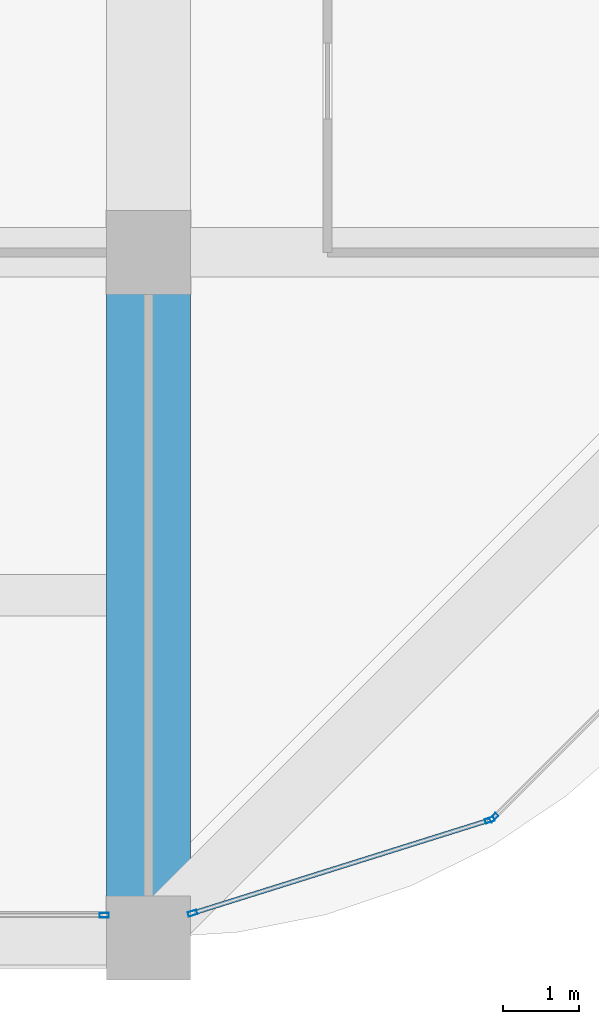
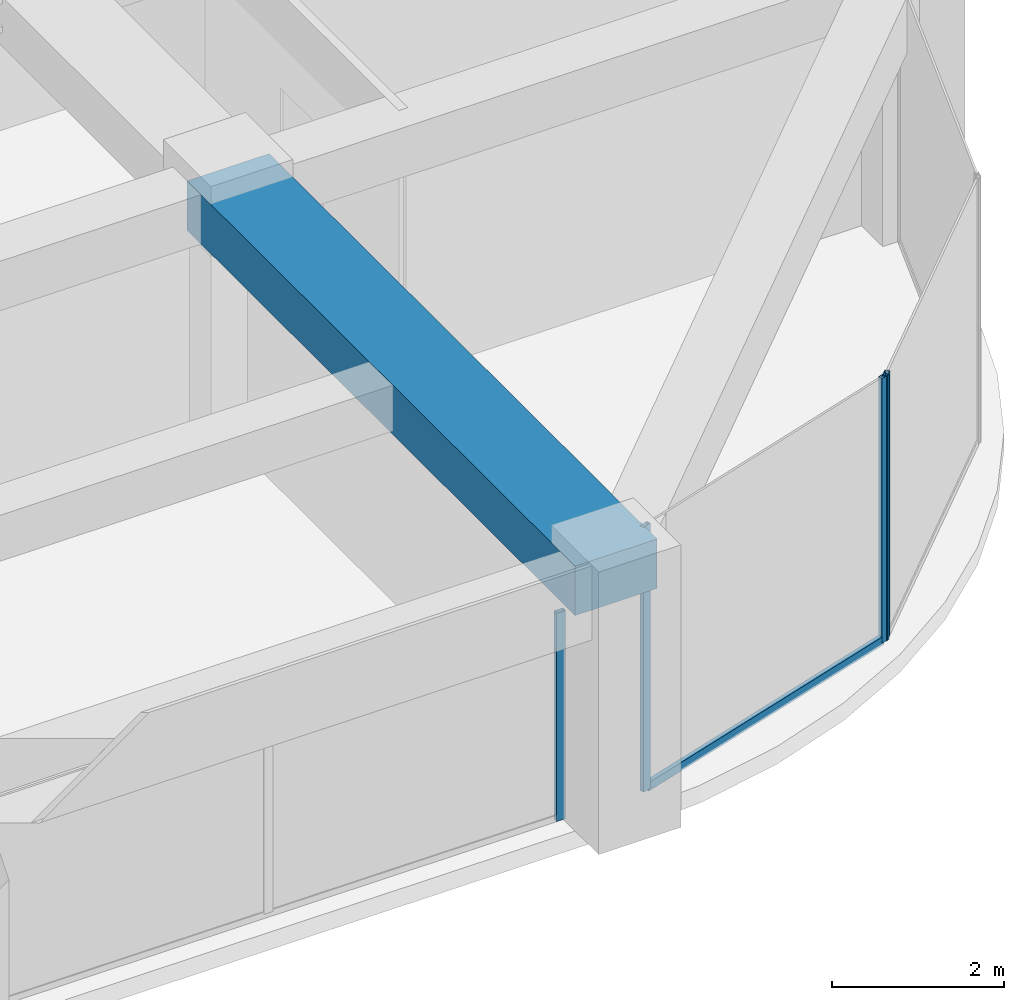
# One storey, part 18 of 44: 5 members, 1 beam, 3 elements without a shape of their own.
"""IFC4 building model written with IfcOpenShell, lengths in metres."""

from ifc_helpers import new_model, si_unit, direction, frame, origin, origin_2d, place, context, subcontext, project, spatial, rectangle, hollow_rectangle, extrude, material, material_profile, profile_set, type_object, element, aggregate, save


model = new_model("IFC4")

# Units and contexts
model_context = context("Model", 3, precision=1e-05, world=origin(), true_north=direction((0.0, 1.0)))
body_context = subcontext(model_context, "Body", "Model", "MODEL_VIEW")
ifc_project = project(units=[si_unit("LENGTHUNIT", "METRE"), si_unit("AREAUNIT", "SQUARE_METRE"), si_unit("VOLUMEUNIT", "CUBIC_METRE"), si_unit("PLANEANGLEUNIT", "RADIAN"), si_unit("MASSUNIT", "GRAM", prefix="KILO")], contexts=[model_context])

# Site, building, storey
site_placement = place(None, origin())
site = spatial("IfcSite", under=ifc_project, at=site_placement, CompositionType="ELEMENT")
building_placement = place(site_placement, origin())
building = spatial("IfcBuilding", under=site, at=building_placement, Name="Zorevar Civic Tower", CompositionType="ELEMENT")
storey_placement = place(building_placement, frame((0.0, 0.0, 267.39990234375)))
storey = spatial("IfcBuildingStorey", under=building, at=storey_placement, Name="L65", CompositionType="ELEMENT", Elevation=267.39990234375)

# Beam
ifc_material_1 = material(Name="Concrete C50/60", Category="concrete")
ifc_material_profile_1 = material_profile(ifc_material_1, rectangle(XDim=1.10009765625, YDim=0.699951171875, at=origin_2d()), Name="RC 1100x700")
ifc_profile_set_1 = profile_set([ifc_material_profile_1], Name="Concrete C50/60")
beam_type = type_object("IfcBeamType", Name="Beam RC 1100x700", PredefinedType="BEAM", material=ifc_profile_set_1)
beam_placement = place(storey_placement, frame((45.0, 0.0, 3.400146484375), z_axis=(0.0, 1.0, 0.0), x_axis=(-1.0, 0.0, 0.0)))
element("IfcBeam", 1, at=beam_placement, inside=storey, type_object=beam_type, Name="Girder L66", PredefinedType="BEAM", context=body_context, shape_type="SweptSolid", body=[
    extrude(rectangle(XDim=1.10009765625, YDim=0.699951171875, at=origin_2d()), origin(), (0.0, 0.0, 1.0), 9.0),
])

# Curtain wall, member
ifc_material_2 = material(Name="Dark grey solar-control glass in black aluminium frame", Category="aluminium")
curtain_wall_type = type_object("IfcCurtainWallType", Name="Curtain wall CW5 top zone", PredefinedType="NOTDEFINED", material=ifc_material_2)
curtain_wall_1_placement = place(storey_placement, origin())
curtain_wall_1 = element("IfcCurtainWall", 2, at=curtain_wall_1_placement, inside=storey, type_object=curtain_wall_type, Name="CW5 L65", PredefinedType="NOTDEFINED")
ifc_material_3 = material(Name="Aluminium, black anodised", Category="aluminium")
ifc_material_profile_2 = material_profile(ifc_material_3, hollow_rectangle(XDim=0.06005859375, YDim=0.1201171875, WallThickness=0.0029296875, at=origin_2d()), Name="AL 120x60x3")
ifc_profile_set_2 = profile_set([ifc_material_profile_2], Name="Aluminium, black anodised")
member_type_1 = type_object("IfcMemberType", Name="CW5 mullion AL 120x60x3", PredefinedType="MULLION", material=ifc_profile_set_2)
member_1_placement = place(storey_placement, frame((44.419921875, 0.300048828125, 0.0), z_axis=(0.0, 0.0, 1.0), x_axis=(0.0, 1.0, 0.0)))
member_1 = element("IfcMember", 3, at=member_1_placement, type_object=member_type_1, Name="CW5 mullion 3", PredefinedType="MULLION", context=body_context, shape_type="SweptSolid", body=[
    extrude(hollow_rectangle(XDim=0.06005859375, YDim=0.1201171875, WallThickness=0.0029296875, at=origin_2d()), origin(), (0.0, 0.0, 1.0), 2.9501953125),
])
aggregate(curtain_wall_1, [member_1])

# Curtain wall, members
curtain_wall_2_placement = place(storey_placement, origin())
curtain_wall_2 = element("IfcCurtainWall", 4, at=curtain_wall_2_placement, inside=storey, type_object=curtain_wall_type, Name="CW5 L65", PredefinedType="NOTDEFINED")
member_2_placement = place(storey_placement, frame((45.57861328125, 0.326416015625, 0.0), z_axis=(0.0, 0.0, 1.0), x_axis=(-0.299317920238, 0.954153437674, 0.0)))
member_2 = element("IfcMember", 5, at=member_2_placement, type_object=member_type_1, Name="CW5 mullion 1", PredefinedType="MULLION", context=body_context, shape_type="SweptSolid", body=[
    extrude(hollow_rectangle(XDim=0.06005859375, YDim=0.1201171875, WallThickness=0.0029296875, at=origin_2d()), origin(), (0.0, 0.0, 1.0), 3.75),
])
member_3_placement = place(storey_placement, frame((49.479248046875, 1.550048828125, 0.0), z_axis=(0.0, 0.0, 1.0), x_axis=(-0.299317920238, 0.954153437674, 0.0)))
member_3 = element("IfcMember", 6, at=member_3_placement, type_object=member_type_1, Name="CW5 mullion 2", PredefinedType="MULLION", context=body_context, shape_type="SweptSolid", body=[
    extrude(hollow_rectangle(XDim=0.06005859375, YDim=0.1201171875, WallThickness=0.0029296875, at=origin_2d()), origin(), (0.0, 0.0, 1.0), 3.75),
])

# Curtain wall, member
curtain_wall_3_placement = place(storey_placement, origin())
curtain_wall_3 = element("IfcCurtainWall", 7, at=curtain_wall_3_placement, inside=storey, type_object=curtain_wall_type, Name="CW5 L65", PredefinedType="NOTDEFINED")
member_4_placement = place(storey_placement, frame((49.529052734375, 1.580322265625, 0.0), z_axis=(0.0, 0.0, 1.0), x_axis=(-0.707106781187, 0.707106781187, 0.0)))
member_4 = element("IfcMember", 8, at=member_4_placement, type_object=member_type_1, Name="CW5 mullion 1", PredefinedType="MULLION", context=body_context, shape_type="SweptSolid", body=[
    extrude(hollow_rectangle(XDim=0.06005859375, YDim=0.1201171875, WallThickness=0.0029296875, at=origin_2d()), origin(), (0.0, 0.0, 1.0), 3.75),
])
aggregate(curtain_wall_3, [member_4])

# Member
ifc_material_4 = material(Name="Aluminium, black anodised", Category="aluminium")
ifc_material_profile_3 = material_profile(ifc_material_4, hollow_rectangle(XDim=0.06005859375, YDim=0.1201171875, WallThickness=0.0029296875, at=origin_2d()), Name="AL 120x60x3")
ifc_profile_set_3 = profile_set([ifc_material_profile_3], Name="Aluminium, black anodised")
member_type_2 = type_object("IfcMemberType", Name="CW5 transom AL 120x60x3", PredefinedType="USERDEFINED", material=ifc_profile_set_3)
member_5_placement = place(storey_placement, frame((45.607177734375, 0.33544921875, 0.030029296875), z_axis=(0.954163457351, 0.299285978047, 0.0), x_axis=(-0.299285978047, 0.954163457351, 0.0)))
member_5 = element("IfcMember", 9, at=member_5_placement, type_object=member_type_2, Name="CW5 sill transom", ObjectType="TRANSOM", PredefinedType="USERDEFINED", context=body_context, shape_type="SweptSolid", body=[
    extrude(hollow_rectangle(XDim=0.06005859375, YDim=0.1201171875, WallThickness=0.0029296875, at=origin_2d()), origin(), (0.0, 0.0, 1.0), 4.028076171875),
])

aggregate(curtain_wall_2, [member_2, member_3, member_5])

save(model, "model.ifc")
